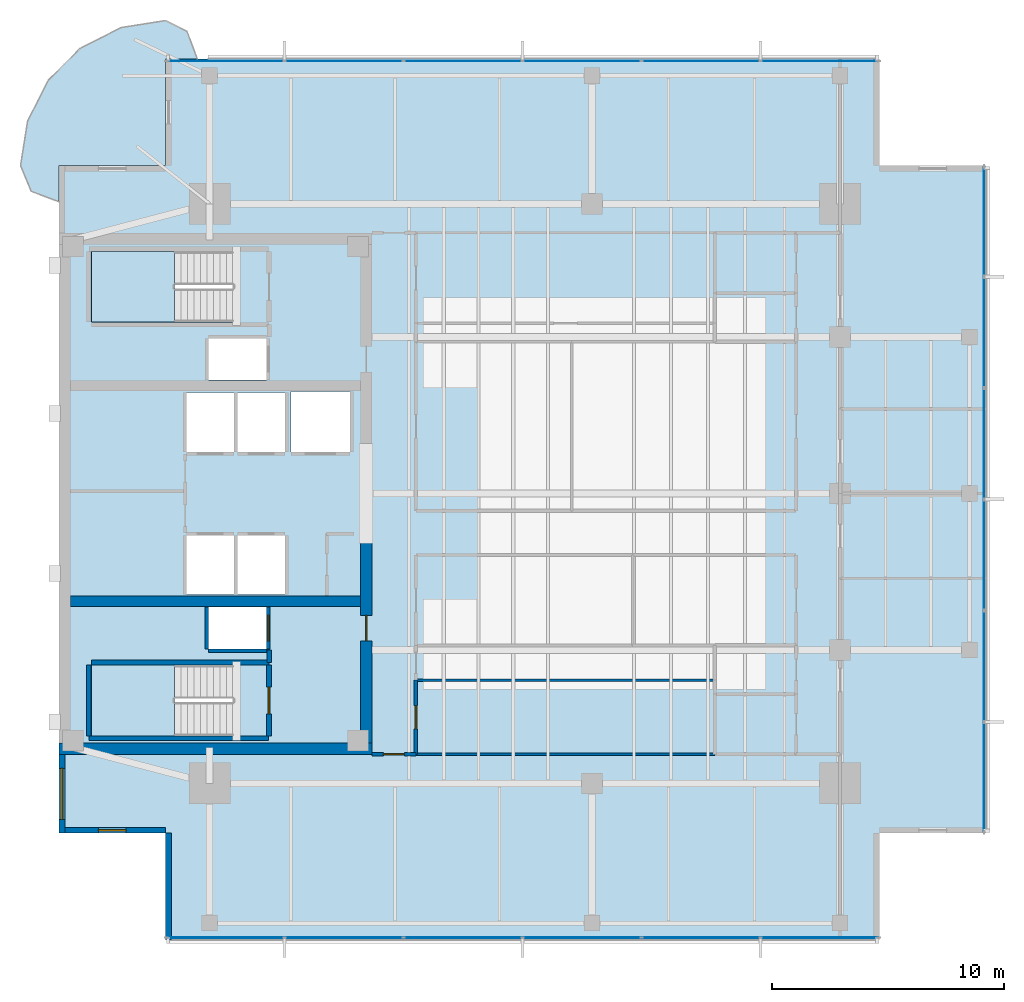
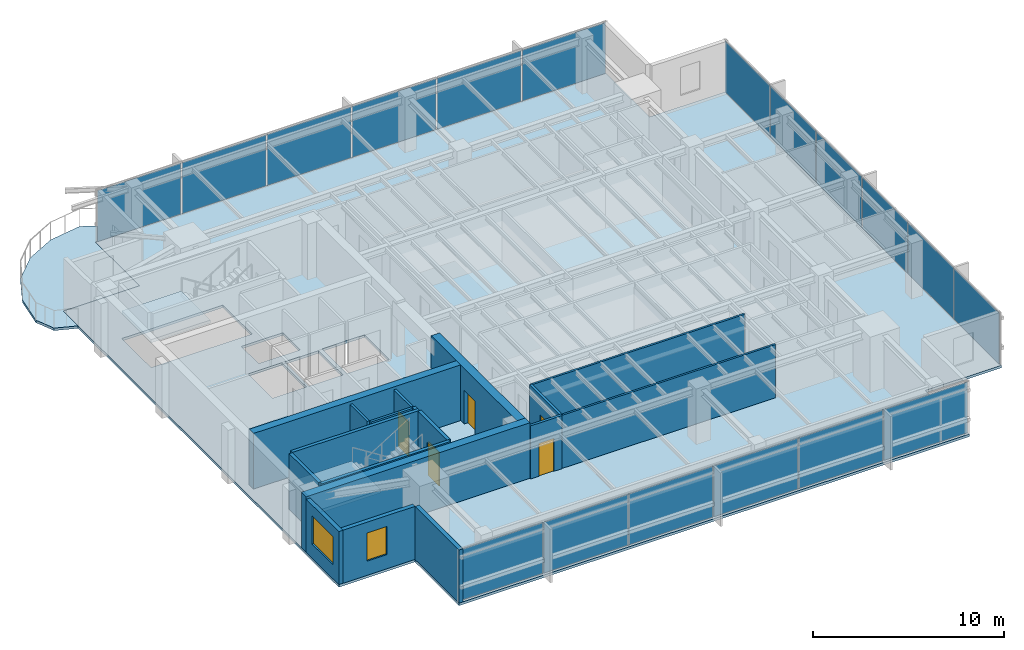
# One storey, part 7 of 14: 18 plates, 18 walls, 5 doors, 4 slabs, 2 windows, 7 openings, 5 elements without a shape of their own.
"""IFC4 building model written with IfcOpenShell, lengths in metres."""

from ifc_helpers import new_model, si_unit, direction, frame, frame_2d, origin, origin_2d, place, context, subcontext, project, spatial, polyline, rectangle, outline, extrude, material, layer, layer_set, type_object, element, fill, aggregate, save


model = new_model("IFC4")

# Units and contexts
model_context = context("Model", 3, precision=1e-05, world=origin(), true_north=direction((0.0, 1.0)))
body_context = subcontext(model_context, "Body", "Model", "MODEL_VIEW")
ifc_project = project(units=[si_unit("LENGTHUNIT", "METRE"), si_unit("AREAUNIT", "SQUARE_METRE"), si_unit("VOLUMEUNIT", "CUBIC_METRE"), si_unit("PLANEANGLEUNIT", "RADIAN"), si_unit("MASSUNIT", "GRAM", prefix="KILO")], contexts=[model_context])

# Site, building, storey
site_placement = place(None, origin())
site = spatial("IfcSite", under=ifc_project, at=site_placement, CompositionType="ELEMENT")
building_placement = place(site_placement, origin())
building = spatial("IfcBuilding", under=site, at=building_placement, Name="Kinhvarn Gate Tower", CompositionType="ELEMENT")
storey_placement = place(building_placement, frame((0.0, 0.0, 256.35009765625)))
storey = spatial("IfcBuildingStorey", under=building, at=storey_placement, Name="L68", CompositionType="ELEMENT", Elevation=256.35009765625)

# Curtain wall, plates
ifc_material_1 = material(Name="Anodised aluminium AW-6063", Category="aluminium")
ifc_layer_1 = layer(ifc_material_1, 0.179931640625)
ifc_layer_set_1 = layer_set([ifc_layer_1], Name="Anodised aluminium AW-6063")
curtain_wall_type = type_object("IfcCurtainWallType", Name="CW-SYS-3", PredefinedType="NOTDEFINED", material=ifc_layer_set_1)
curtain_wall_1_placement = place(storey_placement, origin())
curtain_wall_1 = element("IfcCurtainWall", 1, at=curtain_wall_1_placement, inside=storey, type_object=curtain_wall_type, Name="Curtain Wall CW3 (L68)", PredefinedType="NOTDEFINED")
ifc_material_2 = material(Name="Clear low-e double glazing", Category="glass")
ifc_layer_2 = layer(ifc_material_2, 0.031982421875)
ifc_layer_set_2 = layer_set([ifc_layer_2], Name="Clear low-e double glazing")
plate_type = type_object("IfcPlateType", Name="CW-PNL-VIS", PredefinedType="CURTAIN_PANEL", material=ifc_layer_set_2)
plate_1_placement = place(storey_placement, frame((11.682861328125, 6.090087890625, 0.06982421875), z_axis=(0.0, 0.0, 1.0), x_axis=(1.0, 0.0, 0.0)))
plate_1 = element("IfcPlate", 2, at=plate_1_placement, type_object=plate_type, Name="CW3 panel 1.1", PredefinedType="CURTAIN_PANEL", context=body_context, shape_type="SweptSolid", body=[
    extrude(rectangle(XDim=5.035888671875, YDim=0.031982421875, at=origin_2d()), origin(), (0.0, 0.0, 1.0), 3.25),
])
plate_2_placement = place(storey_placement, frame((16.800048828125, 6.090087890625, 0.06982421875), z_axis=(0.0, 0.0, 1.0), x_axis=(1.0, 0.0, 0.0)))
plate_2 = element("IfcPlate", 3, at=plate_2_placement, type_object=plate_type, Name="CW3 panel 2.1", PredefinedType="CURTAIN_PANEL", context=body_context, shape_type="SweptSolid", body=[
    extrude(rectangle(XDim=5.068359375, YDim=0.031982421875, at=origin_2d()), origin(), (0.0, 0.0, 1.0), 3.25),
])
plate_3_placement = place(storey_placement, frame((21.933349609375, 6.090087890625, 0.06982421875), z_axis=(0.0, 0.0, 1.0), x_axis=(1.0, 0.0, 0.0)))
plate_3 = element("IfcPlate", 4, at=plate_3_placement, type_object=plate_type, Name="CW3 panel 3.1", PredefinedType="CURTAIN_PANEL", context=body_context, shape_type="SweptSolid", body=[
    extrude(rectangle(XDim=5.068359375, YDim=0.031982421875, at=origin_2d()), origin(), (0.0, 0.0, 1.0), 3.25),
])
plate_4_placement = place(storey_placement, frame((27.066650390625, 6.090087890625, 0.06982421875), z_axis=(0.0, 0.0, 1.0), x_axis=(1.0, 0.0, 0.0)))
plate_4 = element("IfcPlate", 5, at=plate_4_placement, type_object=plate_type, Name="CW3 panel 4.1", PredefinedType="CURTAIN_PANEL", context=body_context, shape_type="SweptSolid", body=[
    extrude(rectangle(XDim=5.068359375, YDim=0.031982421875, at=origin_2d()), origin(), (0.0, 0.0, 1.0), 3.25),
])
plate_5_placement = place(storey_placement, frame((32.199951171875, 6.090087890625, 0.06982421875), z_axis=(0.0, 0.0, 1.0), x_axis=(1.0, 0.0, 0.0)))
plate_5 = element("IfcPlate", 6, at=plate_5_placement, type_object=plate_type, Name="CW3 panel 5.1", PredefinedType="CURTAIN_PANEL", context=body_context, shape_type="SweptSolid", body=[
    extrude(rectangle(XDim=5.068359375, YDim=0.031982421875, at=origin_2d()), origin(), (0.0, 0.0, 1.0), 3.25),
])
plate_6_placement = place(storey_placement, frame((37.317138671875, 6.090087890625, 0.06982421875), z_axis=(0.0, 0.0, 1.0), x_axis=(1.0, 0.0, 0.0)))
plate_6 = element("IfcPlate", 7, at=plate_6_placement, type_object=plate_type, Name="CW3 panel 6.1", PredefinedType="CURTAIN_PANEL", context=body_context, shape_type="SweptSolid", body=[
    extrude(rectangle(XDim=5.035888671875, YDim=0.031982421875, at=origin_2d()), origin(), (0.0, 0.0, 1.0), 3.25),
])
aggregate(curtain_wall_1, [plate_1, plate_2, plate_3, plate_4, plate_5, plate_6])

curtain_wall_2_placement = place(storey_placement, origin())
curtain_wall_2 = element("IfcCurtainWall", 8, at=curtain_wall_2_placement, inside=storey, type_object=curtain_wall_type, Name="Curtain Wall CW3 (L68)", PredefinedType="NOTDEFINED")
plate_7_placement = place(storey_placement, frame((37.317138671875, 43.909912109375, 0.06982421875), z_axis=(0.0, 0.0, 1.0), x_axis=(-1.0, 0.0, 0.0)))
plate_7 = element("IfcPlate", 9, at=plate_7_placement, type_object=plate_type, Name="CW3 panel 1.1", PredefinedType="CURTAIN_PANEL", context=body_context, shape_type="SweptSolid", body=[
    extrude(rectangle(XDim=5.035888671875, YDim=0.031982421875, at=origin_2d()), origin(), (0.0, 0.0, 1.0), 3.25),
])
plate_8_placement = place(storey_placement, frame((32.199951171875, 43.909912109375, 0.06982421875), z_axis=(0.0, 0.0, 1.0), x_axis=(-1.0, 0.0, 0.0)))
plate_8 = element("IfcPlate", 10, at=plate_8_placement, type_object=plate_type, Name="CW3 panel 2.1", PredefinedType="CURTAIN_PANEL", context=body_context, shape_type="SweptSolid", body=[
    extrude(rectangle(XDim=5.068359375, YDim=0.031982421875, at=origin_2d()), origin(), (0.0, 0.0, 1.0), 3.25),
])
plate_9_placement = place(storey_placement, frame((27.066650390625, 43.909912109375, 0.06982421875), z_axis=(0.0, 0.0, 1.0), x_axis=(-1.0, 0.0, 0.0)))
plate_9 = element("IfcPlate", 11, at=plate_9_placement, type_object=plate_type, Name="CW3 panel 3.1", PredefinedType="CURTAIN_PANEL", context=body_context, shape_type="SweptSolid", body=[
    extrude(rectangle(XDim=5.068359375, YDim=0.031982421875, at=origin_2d()), origin(), (0.0, 0.0, 1.0), 3.25),
])
plate_10_placement = place(storey_placement, frame((21.933349609375, 43.909912109375, 0.06982421875), z_axis=(0.0, 0.0, 1.0), x_axis=(-1.0, 0.0, 0.0)))
plate_10 = element("IfcPlate", 12, at=plate_10_placement, type_object=plate_type, Name="CW3 panel 4.1", PredefinedType="CURTAIN_PANEL", context=body_context, shape_type="SweptSolid", body=[
    extrude(rectangle(XDim=5.068359375, YDim=0.031982421875, at=origin_2d()), origin(), (0.0, 0.0, 1.0), 3.25),
])
plate_11_placement = place(storey_placement, frame((16.800048828125, 43.909912109375, 0.06982421875), z_axis=(0.0, 0.0, 1.0), x_axis=(-1.0, 0.0, 0.0)))
plate_11 = element("IfcPlate", 13, at=plate_11_placement, type_object=plate_type, Name="CW3 panel 5.1", PredefinedType="CURTAIN_PANEL", context=body_context, shape_type="SweptSolid", body=[
    extrude(rectangle(XDim=5.068359375, YDim=0.031982421875, at=origin_2d()), origin(), (0.0, 0.0, 1.0), 3.25),
])
plate_12_placement = place(storey_placement, frame((11.682861328125, 43.909912109375, 0.06982421875), z_axis=(0.0, 0.0, 1.0), x_axis=(-1.0, 0.0, 0.0)))
plate_12 = element("IfcPlate", 14, at=plate_12_placement, type_object=plate_type, Name="CW3 panel 6.1", PredefinedType="CURTAIN_PANEL", context=body_context, shape_type="SweptSolid", body=[
    extrude(rectangle(XDim=5.035888671875, YDim=0.031982421875, at=origin_2d()), origin(), (0.0, 0.0, 1.0), 3.25),
])
aggregate(curtain_wall_2, [plate_7, plate_8, plate_9, plate_10, plate_11, plate_12])

curtain_wall_3_placement = place(storey_placement, origin())
curtain_wall_3 = element("IfcCurtainWall", 15, at=curtain_wall_3_placement, inside=storey, type_object=curtain_wall_type, Name="Curtain Wall CW3 (L68)", PredefinedType="NOTDEFINED")
plate_13_placement = place(storey_placement, frame((44.409912109375, 13.016357421875, 0.06982421875), z_axis=(0.0, 0.0, 1.0), x_axis=(0.0, 1.0, 0.0)))
plate_13 = element("IfcPlate", 16, at=plate_13_placement, type_object=plate_type, Name="CW3 panel 1.1", PredefinedType="CURTAIN_PANEL", context=body_context, shape_type="SweptSolid", body=[
    extrude(rectangle(XDim=4.702392578125, YDim=0.031982421875, at=origin_2d()), origin(), (0.0, 0.0, 1.0), 3.25),
])
plate_14_placement = place(storey_placement, frame((44.409912109375, 17.800048828125, 0.06982421875), z_axis=(0.0, 0.0, 1.0), x_axis=(0.0, 1.0, 0.0)))
plate_14 = element("IfcPlate", 17, at=plate_14_placement, type_object=plate_type, Name="CW3 panel 2.1", PredefinedType="CURTAIN_PANEL", context=body_context, shape_type="SweptSolid", body=[
    extrude(rectangle(XDim=4.735107421875, YDim=0.031982421875, at=origin_2d()), origin(), (0.0, 0.0, 1.0), 3.25),
])
plate_15_placement = place(storey_placement, frame((44.409912109375, 22.60009765625, 0.06982421875), z_axis=(0.0, 0.0, 1.0), x_axis=(0.0, 1.0, 0.0)))
plate_15 = element("IfcPlate", 18, at=plate_15_placement, type_object=plate_type, Name="CW3 panel 3.1", PredefinedType="CURTAIN_PANEL", context=body_context, shape_type="SweptSolid", body=[
    extrude(rectangle(XDim=4.735107421875, YDim=0.031982421875, at=origin_2d()), origin(), (0.0, 0.0, 1.0), 3.25),
])
plate_16_placement = place(storey_placement, frame((44.409912109375, 27.39990234375, 0.06982421875), z_axis=(0.0, 0.0, 1.0), x_axis=(0.0, 1.0, 0.0)))
plate_16 = element("IfcPlate", 19, at=plate_16_placement, type_object=plate_type, Name="CW3 panel 4.1", PredefinedType="CURTAIN_PANEL", context=body_context, shape_type="SweptSolid", body=[
    extrude(rectangle(XDim=4.735107421875, YDim=0.031982421875, at=origin_2d()), origin(), (0.0, 0.0, 1.0), 3.25),
])
plate_17_placement = place(storey_placement, frame((44.409912109375, 32.199951171875, 0.06982421875), z_axis=(0.0, 0.0, 1.0), x_axis=(0.0, 1.0, 0.0)))
plate_17 = element("IfcPlate", 20, at=plate_17_placement, type_object=plate_type, Name="CW3 panel 5.1", PredefinedType="CURTAIN_PANEL", context=body_context, shape_type="SweptSolid", body=[
    extrude(rectangle(XDim=4.735107421875, YDim=0.031982421875, at=origin_2d()), origin(), (0.0, 0.0, 1.0), 3.25),
])
plate_18_placement = place(storey_placement, frame((44.409912109375, 36.983642578125, 0.06982421875), z_axis=(0.0, 0.0, 1.0), x_axis=(0.0, 1.0, 0.0)))
plate_18 = element("IfcPlate", 21, at=plate_18_placement, type_object=plate_type, Name="CW3 panel 6.1", PredefinedType="CURTAIN_PANEL", context=body_context, shape_type="SweptSolid", body=[
    extrude(rectangle(XDim=4.702392578125, YDim=0.031982421875, at=origin_2d()), origin(), (0.0, 0.0, 1.0), 3.25),
])
aggregate(curtain_wall_3, [plate_13, plate_14, plate_15, plate_16, plate_17, plate_18])

# Slabs
ifc_material_3 = material(Name="Precast white architectural concrete C40/50", Category="concrete")
ifc_layer_3 = layer(ifc_material_3, 0.159912109375)
ifc_layer_set_3 = layer_set([ifc_layer_3], Name="Precast white architectural concrete C40/50")
slab_type_1 = type_object("IfcSlabType", Name="SLB-BAL-160", PredefinedType="FLOOR", material=ifc_layer_set_3)
slab_1_placement = place(storey_placement, frame((0.0, 0.0, -0.16015625)))
element("IfcSlab", 22, at=slab_1_placement, inside=storey, type_object=slab_type_1, Name="S-Carve Curved Terrace Balcony Slab L68 (NW)", PredefinedType="FLOOR", context=body_context, shape_type="SweptSolid", body=[
    extrude(outline(polyline([(10.469970703125, 44.0), (10.02001953125, 45.193115234375), (9.10009765625, 45.656982421875), (7.16650390625, 45.350830078125), (5.422119140625, 44.4619140625), (4.0380859375, 43.077880859375), (3.149169921875, 41.33349609375), (2.843017578125, 39.39990234375), (3.306884765625, 38.291015625), (4.5, 37.841064453125), (4.5, 39.39990234375), (9.10009765625, 39.39990234375), (9.10009765625, 44.0), (10.469970703125, 44.0)])), origin(), (0.0, 0.0, 1.0), 0.16015625),
])
ifc_material_4 = material(Name="Concrete C40/50", Category="concrete")
ifc_layer_4 = layer(ifc_material_4, 0.159912109375)
ifc_layer_set_4 = layer_set([ifc_layer_4], Name="Concrete C40/50")
slab_type_2 = type_object("IfcSlabType", Name="SLB-FLR-160", PredefinedType="FLOOR", material=ifc_layer_set_4)
slab_2_placement = place(storey_placement, frame((0.0, 0.0, -0.16015625)))
element("IfcSlab", 23, at=slab_2_placement, inside=storey, type_object=slab_type_2, Name="Suspended Floor Slab L68", PredefinedType="FLOOR", context=body_context, shape_type="SweptSolid", body=[
    extrude(outline(polyline([(9.10009765625, 6.0), (39.89990234375, 6.0), (39.89990234375, 10.60009765625), (44.5, 10.60009765625), (44.5, 39.39990234375), (39.89990234375, 39.39990234375), (39.89990234375, 44.0), (9.10009765625, 44.0), (9.10009765625, 39.39990234375), (4.5, 39.39990234375), (4.5, 10.60009765625), (9.10009765625, 10.60009765625), (9.10009765625, 6.0)]), holes=[polyline([(5.89990234375, 14.800048828125), (12.0, 14.800048828125), (12.0, 17.85009765625), (5.89990234375, 17.85009765625), (5.89990234375, 14.800048828125)]), polyline([(5.89990234375, 32.64990234375), (12.0, 32.64990234375), (12.0, 35.699951171875), (5.89990234375, 35.699951171875), (5.89990234375, 32.64990234375)]), polyline([(10.0, 20.89990234375), (12.050048828125, 20.89990234375), (12.050048828125, 23.449951171875), (10.0, 23.449951171875), (10.0, 20.89990234375)]), polyline([(12.199951171875, 20.89990234375), (14.25, 20.89990234375), (14.25, 23.449951171875), (12.199951171875, 23.449951171875), (12.199951171875, 20.89990234375)]), polyline([(10.0, 27.050048828125), (12.050048828125, 27.050048828125), (12.050048828125, 29.60009765625), (10.0, 29.60009765625), (10.0, 27.050048828125)]), polyline([(12.199951171875, 27.050048828125), (14.25, 27.050048828125), (14.25, 29.60009765625), (12.199951171875, 29.60009765625), (12.199951171875, 27.050048828125)]), polyline([(14.5, 27.050048828125), (17.050048828125, 27.050048828125), (17.050048828125, 29.64990234375), (14.5, 29.64990234375), (14.5, 27.050048828125)]), polyline([(10.949951171875, 18.550048828125), (13.449951171875, 18.550048828125), (13.449951171875, 20.35009765625), (10.949951171875, 20.35009765625), (10.949951171875, 18.550048828125)]), polyline([(10.949951171875, 30.14990234375), (13.449951171875, 30.14990234375), (13.449951171875, 31.949951171875), (10.949951171875, 31.949951171875), (10.949951171875, 30.14990234375)])]), origin(), (0.0, 0.0, 1.0), 0.16015625),
])

# Stair, slab
stair_type = type_object("IfcStairType", Name="STR-DLG-177", PredefinedType="HALF_TURN_STAIR", material=ifc_material_4)
stair_1_placement = place(storey_placement, origin())
stair_1 = element("IfcStair", 24, at=stair_1_placement, inside=storey, type_object=stair_type, Name="L68 Core Smokeproof Exit Stair ST1", PredefinedType="HALF_TURN_STAIR")
ifc_layer_5 = layer(ifc_material_4, 0.199951171875)
ifc_layer_set_5 = layer_set([ifc_layer_5], Name="Concrete C40/50")
slab_type_3 = type_object("IfcSlabType", Name="SLB-ST-LND", PredefinedType="LANDING", material=ifc_layer_set_5)
slab_3_placement = place(storey_placement, frame((0.0, 0.0, 1.574951171875)))
slab_3 = element("IfcSlab", 25, at=slab_3_placement, type_object=slab_type_3, Name="ST1 landing 1", PredefinedType="LANDING", context=body_context, shape_type="SweptSolid", body=[
    extrude(outline(polyline([(9.47998046875, 17.85009765625), (5.89990234375, 17.85009765625), (5.89990234375, 14.800048828125), (9.47998046875, 14.800048828125), (9.47998046875, 17.85009765625)])), origin(), (0.0, 0.0, 1.0), 0.199951171875),
])
aggregate(stair_1, [slab_3])

stair_2_placement = place(storey_placement, origin())
stair_2 = element("IfcStair", 26, at=stair_2_placement, inside=storey, type_object=stair_type, Name="L68 Core Smokeproof Exit Stair ST2", PredefinedType="HALF_TURN_STAIR")
slab_4_placement = place(storey_placement, frame((0.0, 0.0, 1.574951171875)))
slab_4 = element("IfcSlab", 27, at=slab_4_placement, type_object=slab_type_3, Name="ST2 landing 1", PredefinedType="LANDING", context=body_context, shape_type="SweptSolid", body=[
    extrude(outline(polyline([(9.47998046875, 35.699951171875), (5.89990234375, 35.699951171875), (5.89990234375, 32.64990234375), (9.47998046875, 32.64990234375), (9.47998046875, 35.699951171875)])), origin(), (0.0, 0.0, 1.0), 0.199951171875),
])
aggregate(stair_2, [slab_4])

# Walls
ifc_material_5 = material(Name="Concrete C50/60", Category="concrete")
ifc_layer_6 = layer(ifc_material_5, 0.449951171875)
ifc_layer_set_6 = layer_set([ifc_layer_6], Name="Concrete C50/60")
wall_type_1 = type_object("IfcWallType", Name="WL-CORE-450", PredefinedType="SHEAR", material=ifc_layer_set_6)
wall_1_placement = place(storey_placement, frame((5.0, 20.60009765625, 0.0), z_axis=(0.0, 0.0, 1.0), x_axis=(1.0, 0.0, 0.0)))
element("IfcWall", 28, at=wall_1_placement, inside=storey, type_object=wall_type_1, Name="Core South Spine Shear Wall L68 450 mm", PredefinedType="SHEAR", context=body_context, shape_type="SweptSolid", body=[
    extrude(rectangle(XDim=12.5, YDim=0.449951171875, at=frame_2d((6.25, 0.0))), origin(), (0.0, 0.0, 1.0), 3.5498046875),
])
ifc_layer_7 = layer(ifc_material_5, 0.5)
ifc_layer_set_7 = layer_set([ifc_layer_7], Name="Concrete C50/60")
wall_type_2 = type_object("IfcWallType", Name="WL-CORE-500", PredefinedType="SHEAR", material=ifc_layer_set_7)
wall_2_placement = place(storey_placement, frame((4.5, 14.25, 0.0), z_axis=(0.0, 0.0, 1.0), x_axis=(1.0, 0.0, 0.0)))
element("IfcWall", 29, at=wall_2_placement, inside=storey, type_object=wall_type_2, Name="Core South Shear Wall L68 500 mm", PredefinedType="SHEAR", context=body_context, shape_type="SweptSolid", body=[
    extrude(rectangle(XDim=13.5, YDim=0.5, at=frame_2d((6.75, 0.0))), origin(), (0.0, 0.0, 1.0), 3.5498046875),
])

# Wall, opening, door
wall_3_placement = place(storey_placement, frame((17.75, 14.5, 0.0), z_axis=(0.0, 0.0, 1.0), x_axis=(0.0, 1.0, 0.0)))
wall_3 = element("IfcWall", 30, at=wall_3_placement, inside=storey, type_object=wall_type_2, Name="Core East-South Shear Pier L68 500 mm", PredefinedType="SHEAR", context=body_context, shape_type="SweptSolid", body=[
    extrude(rectangle(XDim=8.949951171875, YDim=0.5, at=frame_2d((4.47509765625, 0.0))), origin(), (0.0, 0.0, 1.0), 3.5498046875),
])
opening_1_placement = place(wall_3_placement, frame((4.39990234375, 0.0, 0.0)))
opening_1 = element("IfcOpeningElement", 31, at=opening_1_placement, cuts=wall_3, Name="Opening FD-02", PredefinedType="OPENING", context=body_context, shape_type="SweptSolid", body=[
    extrude(rectangle(XDim=1.10009765625, YDim=2.14990234375, at=frame_2d((0.550048828125, 1.074951171875))), frame((0.0, 0.260009765625, 0.0), z_axis=(0.0, -1.0, 0.0), x_axis=(1.0, 0.0, 0.0)), (0.0, 0.0, 1.0), 0.52001953125),
])
door_type_1 = type_object("IfcDoorType", Name="DR-FD-1100", OperationType="NOTDEFINED", PredefinedType="DOOR", material=ifc_material_1)
door_1_placement = place(opening_1_placement, origin())
door_1 = element("IfcDoor", 32, at=door_1_placement, inside=storey, type_object=door_type_1, Name="Firefighting Lobby Core Door (L68)", OperationType="SINGLE_SWING_RIGHT", OverallHeight=2.14990234375, OverallWidth=1.10009765625, PredefinedType="DOOR", context=body_context, shape_type="SweptSolid", body=[
    extrude(rectangle(XDim=1.10009765625, YDim=2.14990234375, at=frame_2d((0.550048828125, 1.074951171875))), frame((0.0, 0.02490234375, 0.0), z_axis=(0.0, -1.0, 0.0), x_axis=(1.0, 0.0, 0.0)), (0.0, 0.0, 1.0), 0.050048828125),
])
fill(opening_1, door_1)

# Wall, opening, window
ifc_material_6 = material(Name="Fired architectural terracotta", Category="masonry")
ifc_layer_8 = layer(ifc_material_6, 0.25)
ifc_layer_set_8 = layer_set([ifc_layer_8], Name="Fired architectural terracotta")
wall_type_3 = type_object("IfcWallType", Name="WL-EXT-250", PredefinedType="SOLIDWALL", material=ifc_layer_set_8)
wall_4_placement = place(storey_placement, frame((4.625, 14.0, 0.0), z_axis=(0.0, 0.0, 1.0), x_axis=(0.0, -1.0, 0.0)))
wall_4 = element("IfcWall", 33, at=wall_4_placement, inside=storey, type_object=wall_type_3, Name="Exterior Solidwall Wall EW-250 (L68 West-South)", PredefinedType="SOLIDWALL", context=body_context, shape_type="SweptSolid", body=[
    extrude(rectangle(XDim=3.39990234375, YDim=0.25, at=frame_2d((1.699951171875, 0.0))), origin(), (0.0, 0.0, 1.0), 3.389892578125),
])
opening_2_placement = place(wall_4_placement, frame((0.60009765625, 0.0, 0.89990234375)))
opening_2 = element("IfcOpeningElement", 34, at=opening_2_placement, cuts=wall_4, Name="Opening WN-01", PredefinedType="OPENING", context=body_context, shape_type="SweptSolid", body=[
    extrude(rectangle(XDim=2.199951171875, YDim=1.800048828125, at=frame_2d((1.10009765625, 0.89990234375))), frame((0.0, 0.135009765625, 0.0), z_axis=(0.0, -1.0, 0.0), x_axis=(1.0, 0.0, 0.0)), (0.0, 0.0, 1.0), 0.27001953125),
])
window_type_1 = type_object("IfcWindowType", Name="WIN-RIB-2200", PartitioningType="SINGLE_PANEL", PredefinedType="WINDOW", material=ifc_material_2)
window_1_placement = place(opening_2_placement, origin())
window_1 = element("IfcWindow", 35, at=window_1_placement, inside=storey, type_object=window_type_1, Name="West Flank Double-Glazed Ribbon Window 2200x1800 mm (L68)", OverallHeight=1.800048828125, OverallWidth=2.199951171875, PartitioningType="SINGLE_PANEL", PredefinedType="WINDOW", context=body_context, shape_type="SweptSolid", body=[
    extrude(rectangle(XDim=2.199951171875, YDim=1.800048828125, at=frame_2d((1.10009765625, 0.89990234375))), frame((0.0, 0.030029296875, 0.0), z_axis=(0.0, -1.0, 0.0), x_axis=(1.0, 0.0, 0.0)), (0.0, 0.0, 1.0), 0.06005859375),
])
fill(opening_2, window_1)

wall_5_placement = place(storey_placement, frame((4.5, 10.72509765625, 0.0), z_axis=(0.0, 0.0, 1.0), x_axis=(1.0, 0.0, 0.0)))
wall_5 = element("IfcWall", 36, at=wall_5_placement, inside=storey, type_object=wall_type_3, Name="Exterior Solidwall Wall EW-250 (L68 SW-Notch-1)", PredefinedType="SOLIDWALL", context=body_context, shape_type="SweptSolid", body=[
    extrude(rectangle(XDim=4.60009765625, YDim=0.25, at=frame_2d((2.300048828125, 0.0))), origin(), (0.0, 0.0, 1.0), 3.389892578125),
])
opening_3_placement = place(wall_5_placement, frame((1.699951171875, 0.0, 0.89990234375)))
opening_3 = element("IfcOpeningElement", 37, at=opening_3_placement, cuts=wall_5, Name="Opening WN-02", PredefinedType="OPENING", context=body_context, shape_type="SweptSolid", body=[
    extrude(rectangle(XDim=1.199951171875, YDim=1.800048828125, at=frame_2d((0.60009765625, 0.89990234375))), frame((0.0, 0.135009765625, 0.0), z_axis=(0.0, -1.0, 0.0), x_axis=(1.0, 0.0, 0.0)), (0.0, 0.0, 1.0), 0.27001953125),
])
window_type_2 = type_object("IfcWindowType", Name="WIN-NTC-1200", PartitioningType="SINGLE_PANEL", PredefinedType="WINDOW", material=ifc_material_2)
window_2_placement = place(opening_3_placement, origin())
window_2 = element("IfcWindow", 38, at=window_2_placement, inside=storey, type_object=window_type_2, Name="Recessed Corner Notch Punched Window 1200x1800 mm (L68)", OverallHeight=1.800048828125, OverallWidth=1.199951171875, PartitioningType="SINGLE_PANEL", PredefinedType="WINDOW", context=body_context, shape_type="SweptSolid", body=[
    extrude(rectangle(XDim=1.199951171875, YDim=1.800048828125, at=frame_2d((0.60009765625, 0.89990234375))), frame((0.0, 0.030029296875, 0.0), z_axis=(0.0, -1.0, 0.0), x_axis=(1.0, 0.0, 0.0)), (0.0, 0.0, 1.0), 0.06005859375),
])
fill(opening_3, window_2)

# Walls
wall_6_placement = place(storey_placement, frame((9.22509765625, 10.60009765625, 0.0), z_axis=(0.0, 0.0, 1.0), x_axis=(0.0, -1.0, 0.0)))
element("IfcWall", 39, at=wall_6_placement, inside=storey, type_object=wall_type_3, Name="Exterior Solidwall Wall EW-250 (L68 SW-Notch-2)", PredefinedType="SOLIDWALL", context=body_context, shape_type="SweptSolid", body=[
    extrude(rectangle(XDim=4.60009765625, YDim=0.25, at=frame_2d((2.300048828125, 0.0))), origin(), (0.0, 0.0, 1.0), 3.389892578125),
])
ifc_material_7 = material(Name="Gypsum acoustic partition board")
ifc_layer_9 = layer(ifc_material_7, 0.1201171875)
ifc_layer_set_9 = layer_set([ifc_layer_9], Name="Gypsum acoustic partition board")
wall_type_4 = type_object("IfcWallType", Name="WL-PRT-120", PredefinedType="PARTITIONING", material=ifc_layer_set_9)
for number, where, z_axis, x_axis, name in (
    (40, (19.89990234375, 17.199951171875, 0.0), (0.0, 0.0, 1.0), (1.0, 0.0, 0.0), "Interior Partition PW-120 (L68)"),
    (41, (19.89990234375, 14.0, 0.0), (0.0, 0.0, 1.0), (1.0, 0.0, 0.0), "Interior Partition PW-120 (L68)"),
):
    element("IfcWall", number, at=place(storey_placement, frame(where, z_axis=z_axis, x_axis=x_axis)), inside=storey, type_object=wall_type_4, Name=name, PredefinedType="PARTITIONING", context=body_context, shape_type="SweptSolid", body=[
        extrude(rectangle(XDim=12.900146484375, YDim=0.1201171875, at=frame_2d((6.4501953125, 0.0))), origin(), (0.0, 0.0, 1.0), 3.389892578125),
    ])

# Wall, opening, door
ifc_layer_10 = layer(ifc_material_7, 0.14990234375)
ifc_layer_set_10 = layer_set([ifc_layer_10], Name="Gypsum acoustic partition board")
wall_type_5 = type_object("IfcWallType", Name="WL-PRT-150F", PredefinedType="PARTITIONING", material=ifc_layer_set_10)
wall_7_placement = place(storey_placement, frame((19.89990234375, 14.0, 0.0), z_axis=(0.0, 0.0, 1.0), x_axis=(0.0, 1.0, 0.0)))
wall_7 = element("IfcWall", 42, at=wall_7_placement, inside=storey, type_object=wall_type_5, Name="Interior Partition PW-150F (L68)", PredefinedType="PARTITIONING", context=body_context, shape_type="SweptSolid", body=[
    extrude(rectangle(XDim=3.199951171875, YDim=0.14990234375, at=frame_2d((1.60009765625, 0.0))), origin(), (0.0, 0.0, 1.0), 3.389892578125),
])
opening_4_placement = place(wall_7_placement, frame((1.10009765625, 0.0, 0.0)))
opening_4 = element("IfcOpeningElement", 43, at=opening_4_placement, cuts=wall_7, Name="Opening ID-02", PredefinedType="OPENING", context=body_context, shape_type="SweptSolid", body=[
    extrude(rectangle(XDim=1.0, YDim=2.14990234375, at=frame_2d((0.5, 1.074951171875))), frame((0.0, 0.0849609375, 0.0), z_axis=(0.0, -1.0, 0.0), x_axis=(1.0, 0.0, 0.0)), (0.0, 0.0, 1.0), 0.169921875),
])
door_type_2 = type_object("IfcDoorType", Name="DR-INT-1000", OperationType="NOTDEFINED", PredefinedType="DOOR", material=ifc_material_1)
door_2_placement = place(opening_4_placement, origin())
door_2 = element("IfcDoor", 44, at=door_2_placement, inside=storey, type_object=door_type_2, Name="Standard Office & Meeting Room Door 1000x2150 mm (L68)", OperationType="SINGLE_SWING_RIGHT", OverallHeight=2.14990234375, OverallWidth=1.0, PredefinedType="DOOR", context=body_context, shape_type="SweptSolid", body=[
    extrude(rectangle(XDim=1.0, YDim=2.14990234375, at=frame_2d((0.5, 1.074951171875))), frame((0.0, 0.02490234375, 0.0), z_axis=(0.0, -1.0, 0.0), x_axis=(1.0, 0.0, 0.0)), (0.0, 0.0, 1.0), 0.050048828125),
])
fill(opening_4, door_2)

wall_8_placement = place(storey_placement, frame((18.0, 14.0, 0.0), z_axis=(0.0, 0.0, 1.0), x_axis=(1.0, 0.0, 0.0)))
wall_8 = element("IfcWall", 45, at=wall_8_placement, inside=storey, type_object=wall_type_5, Name="Interior Partition PW-150F (L68)", PredefinedType="PARTITIONING", context=body_context, shape_type="SweptSolid", body=[
    extrude(rectangle(XDim=1.89990234375, YDim=0.14990234375, at=frame_2d((0.949951171875, 0.0))), origin(), (0.0, 0.0, 1.0), 3.389892578125),
])
opening_5_placement = place(wall_8_placement, frame((0.5, 0.0, 0.0)))
opening_5 = element("IfcOpeningElement", 46, at=opening_5_placement, cuts=wall_8, Name="Opening ID-03", PredefinedType="OPENING", context=body_context, shape_type="SweptSolid", body=[
    extrude(rectangle(XDim=0.89990234375, YDim=2.10009765625, at=frame_2d((0.449951171875, 1.050048828125))), frame((0.0, 0.0849609375, 0.0), z_axis=(0.0, -1.0, 0.0), x_axis=(1.0, 0.0, 0.0)), (0.0, 0.0, 1.0), 0.169921875),
])
door_type_3 = type_object("IfcDoorType", Name="DR-INT-900", OperationType="NOTDEFINED", PredefinedType="DOOR", material=ifc_material_1)
door_3_placement = place(opening_5_placement, origin())
door_3 = element("IfcDoor", 47, at=door_3_placement, inside=storey, type_object=door_type_3, Name="Cellular Office & Restroom Door 900x2100 mm (L68)", OperationType="SINGLE_SWING_LEFT", OverallHeight=2.10009765625, OverallWidth=0.89990234375, PredefinedType="DOOR", context=body_context, shape_type="SweptSolid", body=[
    extrude(rectangle(XDim=0.89990234375, YDim=2.10009765625, at=frame_2d((0.449951171875, 1.050048828125))), frame((0.0, 0.02490234375, 0.0), z_axis=(0.0, -1.0, 0.0), x_axis=(1.0, 0.0, 0.0)), (0.0, 0.0, 1.0), 0.050048828125),
])
fill(opening_5, door_3)

# Walls
ifc_layer_11 = layer(ifc_material_7, 0.199951171875)
ifc_layer_set_11 = layer_set([ifc_layer_11], Name="Gypsum acoustic partition board")
wall_type_6 = type_object("IfcWallType", Name="WL-PRT-200", PredefinedType="PARTITIONING", material=ifc_layer_set_11)
wall_9_placement = place(storey_placement, frame((13.580078125, 17.9599609375, 0.0), z_axis=(0.0, 0.0, 1.0), x_axis=(0.0, 1.0, 0.0)))
element("IfcWall", 48, at=wall_9_placement, inside=storey, type_object=wall_type_6, Name="Interior Partition PW-200 (L68)", PredefinedType="PARTITIONING", context=body_context, shape_type="SweptSolid", body=[
    extrude(rectangle(XDim=0.5400390625, YDim=0.199951171875, at=frame_2d((0.27001953125, 0.0))), origin(), (0.0, 0.0, 1.0), 3.389892578125),
])
ifc_layer_12 = layer(ifc_material_7, 0.14990234375)
ifc_layer_set_12 = layer_set([ifc_layer_12], Name="Gypsum acoustic partition board")
wall_type_7 = type_object("IfcWallType", Name="WL-SHF-150", PredefinedType="PARTITIONING", material=ifc_layer_set_12)
wall_10_placement = place(storey_placement, frame((10.949951171875, 18.47509765625, 0.0), z_axis=(0.0, 0.0, 1.0), x_axis=(1.0, 0.0, 0.0)))
element("IfcWall", 49, at=wall_10_placement, inside=storey, type_object=wall_type_7, Name="Elevator FF1 Hoistway Wall S (L68)", PredefinedType="PARTITIONING", context=body_context, shape_type="SweptSolid", body=[
    extrude(rectangle(XDim=2.5, YDim=0.14990234375, at=frame_2d((1.25, 0.0))), origin(), (0.0, 0.0, 1.0), 3.389892578125),
])
wall_11_placement = place(storey_placement, frame((10.875, 18.550048828125, 0.0), z_axis=(0.0, 0.0, 1.0), x_axis=(0.0, 1.0, 0.0)))
element("IfcWall", 50, at=wall_11_placement, inside=storey, type_object=wall_type_7, Name="Elevator FF1 Hoistway Wall W (L68)", PredefinedType="PARTITIONING", context=body_context, shape_type="SweptSolid", body=[
    extrude(rectangle(XDim=1.800048828125, YDim=0.14990234375, at=frame_2d((0.89990234375, 0.0))), origin(), (0.0, 0.0, 1.0), 3.389892578125),
])

# Wall, opening, door
wall_12_placement = place(storey_placement, frame((13.52490234375, 18.550048828125, 0.0), z_axis=(0.0, 0.0, 1.0), x_axis=(0.0, 1.0, 0.0)))
wall_12 = element("IfcWall", 51, at=wall_12_placement, inside=storey, type_object=wall_type_7, Name="Elevator FF1 Landing Wall (L68)", PredefinedType="PARTITIONING", context=body_context, shape_type="SweptSolid", body=[
    extrude(rectangle(XDim=1.800048828125, YDim=0.14990234375, at=frame_2d((0.89990234375, 0.0))), origin(), (0.0, 0.0, 1.0), 3.389892578125),
])
opening_6_placement = place(wall_12_placement, frame((0.35009765625, 0.0, 0.0)))
opening_6 = element("IfcOpeningElement", 52, at=opening_6_placement, cuts=wall_12, Name="Opening LD-03", PredefinedType="OPENING", context=body_context, shape_type="SweptSolid", body=[
    extrude(rectangle(XDim=1.10009765625, YDim=2.199951171875, at=frame_2d((0.550048828125, 1.10009765625))), frame((0.0, 0.0849609375, 0.0), z_axis=(0.0, -1.0, 0.0), x_axis=(1.0, 0.0, 0.0)), (0.0, 0.0, 1.0), 0.169921875),
])
door_type_4 = type_object("IfcDoorType", Name="DR-LND-FF", OperationType="NOTDEFINED", PredefinedType="DOOR", material=ifc_material_1)
door_4_placement = place(opening_6_placement, origin())
door_4 = element("IfcDoor", 53, at=door_4_placement, inside=storey, type_object=door_type_4, Name="Elevator FF1 Sliding Landing Door (L68)", OperationType="DOUBLE_DOOR_SLIDING", OverallHeight=2.199951171875, OverallWidth=1.10009765625, PredefinedType="DOOR", context=body_context, shape_type="SweptSolid", body=[
    extrude(rectangle(XDim=1.10009765625, YDim=2.199951171875, at=frame_2d((0.550048828125, 1.10009765625))), frame((0.0, 0.02490234375, 0.0), z_axis=(0.0, -1.0, 0.0), x_axis=(1.0, 0.0, 0.0)), (0.0, 0.0, 1.0), 0.050048828125),
])
fill(opening_6, door_4)

# Walls
ifc_layer_13 = layer(ifc_material_4, 0.199951171875)
ifc_layer_set_13 = layer_set([ifc_layer_13], Name="Concrete C40/50")
wall_type_8 = type_object("IfcWallType", Name="WL-SHF-200", PredefinedType="SOLIDWALL", material=ifc_layer_set_13)
wall_13_placement = place(storey_placement, frame((5.800048828125, 14.699951171875, 0.0), z_axis=(0.0, 0.0, 1.0), x_axis=(1.0, 0.0, 0.0)))
element("IfcWall", 54, at=wall_13_placement, inside=storey, type_object=wall_type_8, Name="Stair ST1 South Shaft Wall (L68)", PredefinedType="SOLIDWALL", context=body_context, shape_type="SweptSolid", body=[
    extrude(rectangle(XDim=7.75, YDim=0.199951171875, at=frame_2d((3.875, 0.0))), origin(), (0.0, 0.0, 1.0), 3.5498046875),
])
wall_14_placement = place(storey_placement, frame((5.7900390625, 14.800048828125, 0.0), z_axis=(0.0, 0.0, 1.0), x_axis=(0.0, 1.0, 0.0)))
element("IfcWall", 55, at=wall_14_placement, inside=storey, type_object=wall_type_8, Name="Stair ST1 West Shaft Wall (L68)", PredefinedType="SOLIDWALL", context=body_context, shape_type="SweptSolid", body=[
    extrude(rectangle(XDim=3.050048828125, YDim=0.199951171875, at=frame_2d((1.52490234375, 0.0))), origin(), (0.0, 0.0, 1.0), 3.5498046875),
])
wall_15_placement = place(storey_placement, frame((5.89990234375, 17.9599609375, 0.0), z_axis=(0.0, 0.0, 1.0), x_axis=(1.0, 0.0, 0.0)))
element("IfcWall", 56, at=wall_15_placement, inside=storey, type_object=wall_type_8, Name="Stair ST1 North Shaft Wall (L68)", PredefinedType="SOLIDWALL", context=body_context, shape_type="SweptSolid", body=[
    extrude(rectangle(XDim=7.66015625, YDim=0.199951171875, at=frame_2d((3.830078125, 0.0))), origin(), (0.0, 0.0, 1.0), 3.5498046875),
])

# Wall, opening, door
wall_16_placement = place(storey_placement, frame((13.56005859375, 14.800048828125, 0.0), z_axis=(0.0, 0.0, 1.0), x_axis=(0.0, 1.0, 0.0)))
wall_16 = element("IfcWall", 57, at=wall_16_placement, inside=storey, type_object=wall_type_8, Name="Stair ST1 East Entry Wall (L68)", PredefinedType="SOLIDWALL", context=body_context, shape_type="SweptSolid", body=[
    extrude(rectangle(XDim=3.050048828125, YDim=0.199951171875, at=frame_2d((1.52490234375, 0.0))), origin(), (0.0, 0.0, 1.0), 3.5498046875),
])
opening_7_placement = place(wall_16_placement, frame((0.949951171875, 0.0, 0.0)))
opening_7 = element("IfcOpeningElement", 58, at=opening_7_placement, cuts=wall_16, Name="Opening FD-01", PredefinedType="OPENING", context=body_context, shape_type="SweptSolid", body=[
    extrude(rectangle(XDim=1.14990234375, YDim=2.14990234375, at=frame_2d((0.574951171875, 1.074951171875))), frame((0.0, 0.10986328125, 0.0), z_axis=(0.0, -1.0, 0.0), x_axis=(1.0, 0.0, 0.0)), (0.0, 0.0, 1.0), 0.219970703125),
])
door_type_5 = type_object("IfcDoorType", Name="DR-ST-1150", OperationType="NOTDEFINED", PredefinedType="DOOR", material=ifc_material_1)
door_5_placement = place(opening_7_placement, origin())
door_5 = element("IfcDoor", 59, at=door_5_placement, inside=storey, type_object=door_type_5, Name="Exit Stair ST1 Fire Door (L68)", OperationType="SINGLE_SWING_RIGHT", OverallHeight=2.14990234375, OverallWidth=1.14990234375, PredefinedType="DOOR", context=body_context, shape_type="SweptSolid", body=[
    extrude(rectangle(XDim=1.14990234375, YDim=2.14990234375, at=frame_2d((0.574951171875, 1.074951171875))), frame((0.0, 0.02490234375, 0.0), z_axis=(0.0, -1.0, 0.0), x_axis=(1.0, 0.0, 0.0)), (0.0, 0.0, 1.0), 0.050048828125),
])
fill(opening_7, door_5)

save(model, "model.ifc")
